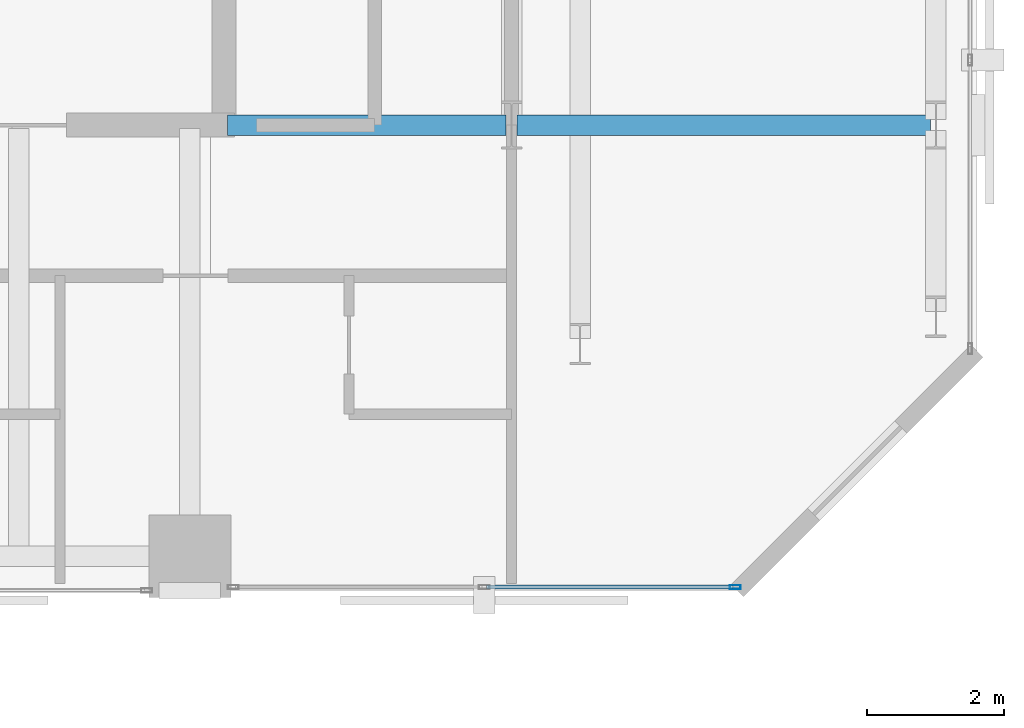
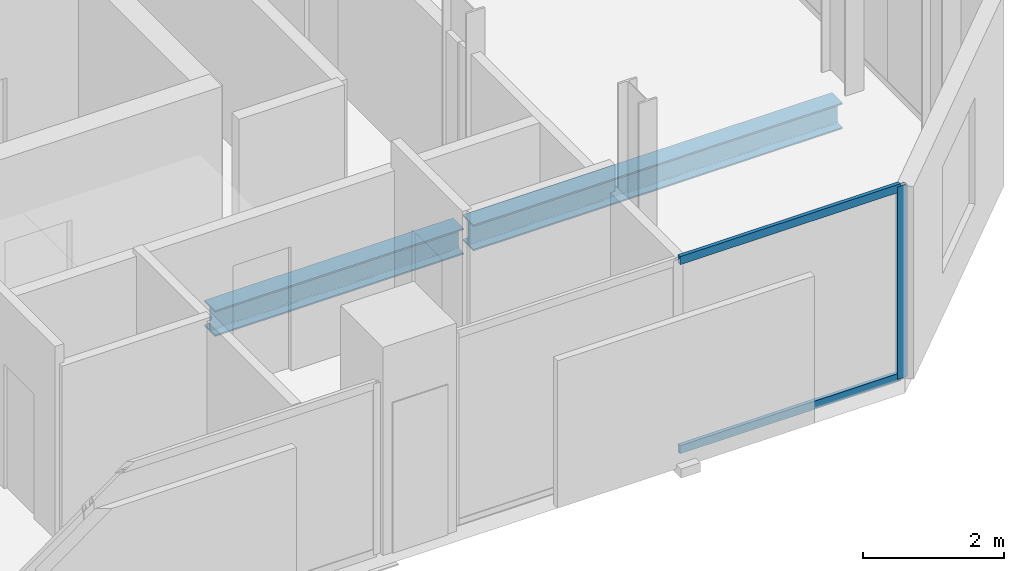
# One storey, part 15 of 33: 3 members, 2 beams, 1 element without a shape of its own.
"""IFC4 building model written with IfcOpenShell, lengths in metres."""

from ifc_helpers import new_model, si_unit, direction, frame, origin, origin_2d, place, context, subcontext, project, spatial, hollow_rectangle, i_section, extrude, material, layer, layer_set, material_profile, profile_set, type_object, element, aggregate, save


model = new_model("IFC4")

# Units and contexts
model_context = context("Model", 3, precision=1e-05, world=origin(), true_north=direction((0.0, 1.0)))
body_context = subcontext(model_context, "Body", "Model", "MODEL_VIEW")
ifc_project = project(units=[si_unit("LENGTHUNIT", "METRE"), si_unit("AREAUNIT", "SQUARE_METRE"), si_unit("VOLUMEUNIT", "CUBIC_METRE"), si_unit("PLANEANGLEUNIT", "RADIAN"), si_unit("MASSUNIT", "GRAM", prefix="KILO")], contexts=[model_context])

# Site, building, storey
site_placement = place(None, origin())
site = spatial("IfcSite", under=ifc_project, at=site_placement, CompositionType="ELEMENT")
building_placement = place(site_placement, origin())
building = spatial("IfcBuilding", under=site, at=building_placement, Name="Catumbela Crestline Tower", CompositionType="ELEMENT")
storey_placement = place(building_placement, frame((0.0, 0.0, 118.8)))
storey = spatial("IfcBuildingStorey", under=building, at=storey_placement, Name="L30", CompositionType="ELEMENT", Elevation=118.8)

# Beams
ifc_material_1 = material(Name="Structural steel S355J2", Category="steel")
ifc_material_profile_1 = material_profile(ifc_material_1, i_section(OverallWidth=0.3, OverallDepth=0.45, WebThickness=0.014, FlangeThickness=0.026, FilletRadius=0.027, at=origin_2d()), Name="HEB 450")
ifc_profile_set_1 = profile_set([ifc_material_profile_1], Name="Structural steel S355J2")
beam_type = type_object("IfcBeamType", Name="BG-HEB450", PredefinedType="BEAM", material=ifc_profile_set_1)
beam_1_placement = place(storey_placement, frame((40.05, 30.8, -0.485), z_axis=(1.0, 0.0, 0.0), x_axis=(0.0, 1.0, 0.0)))
element("IfcBeam", 1, at=beam_1_placement, inside=storey, type_object=beam_type, Name="L30 Beam BM-L30-M10", PredefinedType="BEAM", context=body_context, shape_type="SweptSolid", body=[
    extrude(i_section(OverallWidth=0.3, OverallDepth=0.45, WebThickness=0.014, FlangeThickness=0.026, FilletRadius=0.027, at=origin_2d()), origin(), (0.0, 0.0, 1.0), 4.07),
])
beam_2_placement = place(storey_placement, frame((44.28, 30.8, -0.485), z_axis=(1.0, 0.0, 0.0), x_axis=(0.0, 1.0, 0.0)))
element("IfcBeam", 2, at=beam_2_placement, inside=storey, type_object=beam_type, Name="L30 Beam BM-L30-M11", PredefinedType="BEAM", context=body_context, shape_type="SweptSolid", body=[
    extrude(i_section(OverallWidth=0.3, OverallDepth=0.45, WebThickness=0.014, FlangeThickness=0.026, FilletRadius=0.027, at=origin_2d()), origin(), (0.0, 0.0, 1.0), 6.04),
])

# Curtain wall, members
ifc_material_2 = material(Name="Aluminium alloy AW-6060-T66", Category="aluminium")
ifc_layer = layer(ifc_material_2, 0.18, Name="Aluminium alloy AW-6060-T66")
ifc_layer_set = layer_set([ifc_layer], Name="Aluminium alloy AW-6060-T66")
curtain_wall_type = type_object("IfcCurtainWallType", Name="CWU-Z2", PredefinedType="USERDEFINED", material=ifc_layer_set)
curtain_wall_placement = place(storey_placement, origin())
curtain_wall = element("IfcCurtainWall", 3, at=curtain_wall_placement, inside=storey, type_object=curtain_wall_type, Name="L30 Unitised Curtain Wall CW-L30-E3S2", ObjectType="UNITISED", PredefinedType="USERDEFINED")
ifc_material_profile_2 = material_profile(ifc_material_2, hollow_rectangle(XDim=0.06, YDim=0.16, WallThickness=0.004, at=origin_2d()), Name="ALU 160x60x4")
ifc_profile_set_2 = profile_set([ifc_material_profile_2], Name="Aluminium alloy AW-6060-T66")
member_type_1 = type_object("IfcMemberType", Name="MUL-160X60", PredefinedType="MULLION", material=ifc_profile_set_2)
member_1_placement = place(storey_placement, frame((47.4675, 24.05, 0.0), z_axis=(0.0, 0.0, 1.0), x_axis=(0.0, 1.0, 0.0)))
member_1 = element("IfcMember", 4, at=member_1_placement, type_object=member_type_1, Name="CWU-Z2 mullion 3", PredefinedType="MULLION", context=body_context, shape_type="SweptSolid", body=[
    extrude(hollow_rectangle(XDim=0.06, YDim=0.16, WallThickness=0.004, at=origin_2d()), origin(), (0.0, 0.0, 1.0), 3.33),
])
ifc_material_profile_3 = material_profile(ifc_material_2, hollow_rectangle(XDim=0.06, YDim=0.14, WallThickness=0.004, at=origin_2d()), Name="ALU 140x60x4")
ifc_profile_set_3 = profile_set([ifc_material_profile_3], Name="Aluminium alloy AW-6060-T66")
member_type_2 = type_object("IfcMemberType", Name="TRN-140X60", PredefinedType="USERDEFINED", material=ifc_profile_set_3)
member_2_placement = place(storey_placement, frame((43.8325, 24.05, 0.03), z_axis=(1.0, 0.0, 0.0), x_axis=(0.0, 1.0, 0.0)))
member_2 = element("IfcMember", 5, at=member_2_placement, type_object=member_type_2, Name="CWU-Z2 transom 2.1", ObjectType="TRANSOM", PredefinedType="USERDEFINED", context=body_context, shape_type="SweptSolid", body=[
    extrude(hollow_rectangle(XDim=0.06, YDim=0.14, WallThickness=0.004, at=origin_2d()), origin(), (0.0, 0.0, 1.0), 3.6025),
])
member_3_placement = place(storey_placement, frame((43.8325, 24.05, 3.3), z_axis=(1.0, 0.0, 0.0), x_axis=(0.0, 1.0, 0.0)))
member_3 = element("IfcMember", 6, at=member_3_placement, type_object=member_type_2, Name="CWU-Z2 transom 2.2", ObjectType="TRANSOM", PredefinedType="USERDEFINED", context=body_context, shape_type="SweptSolid", body=[
    extrude(hollow_rectangle(XDim=0.06, YDim=0.14, WallThickness=0.004, at=origin_2d()), origin(), (0.0, 0.0, 1.0), 3.6025),
])
aggregate(curtain_wall, [member_1, member_2, member_3])

save(model, "model.ifc")
